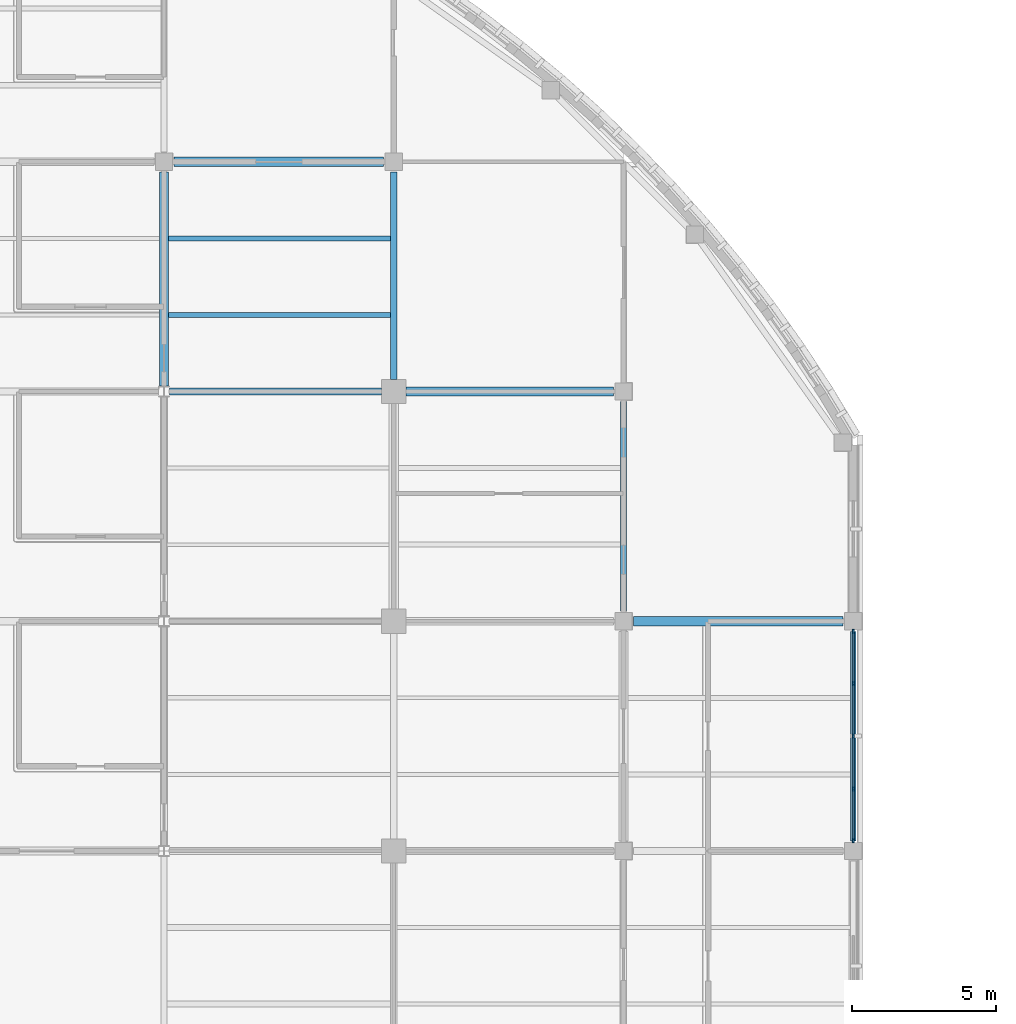
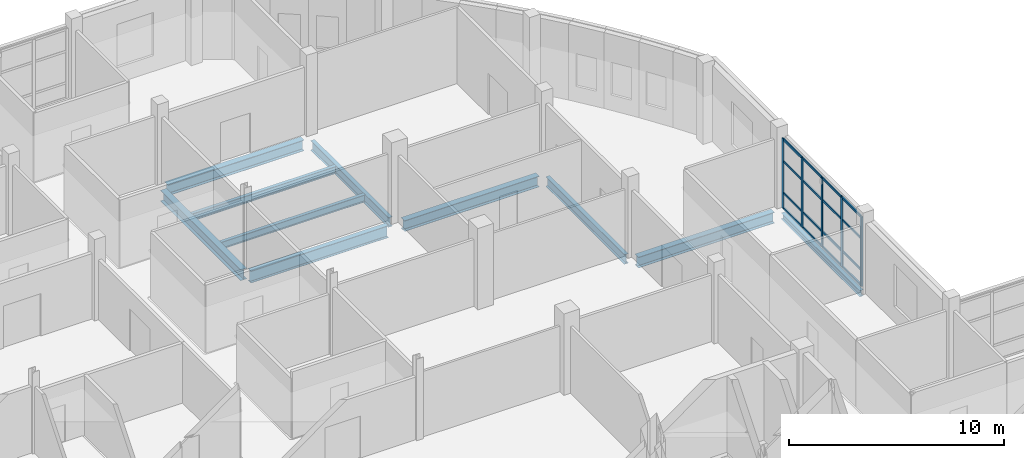
# One storey, part 39 of 121: 21 members, 10 beams, 1 element without a shape of its own.
"""IFC4 building model written with IfcOpenShell, lengths in metres."""

from ifc_helpers import new_model, si_unit, derived_unit, direction, frame, origin, origin_2d, place, context, subcontext, project, spatial, rectangle, i_section, extrude, material, layer, layer_set, material_profile, profile_set, type_object, element, aggregate, save


model = new_model("IFC4")

# Units and contexts
model_context = context("Model", 3, precision=1e-05, world=origin(), true_north=direction((0.0, 1.0)))
body_context = subcontext(model_context, "Body", "Model", "MODEL_VIEW")
ifc_project = project(units=[si_unit("LENGTHUNIT", "METRE"), si_unit("AREAUNIT", "SQUARE_METRE"), si_unit("VOLUMEUNIT", "CUBIC_METRE"), si_unit("PLANEANGLEUNIT", "RADIAN"), si_unit("MASSUNIT", "GRAM", prefix="KILO"), derived_unit("THERMALTRANSMITTANCEUNIT", [(si_unit("MASSUNIT", "GRAM", prefix="KILO"), 1), (si_unit("TIMEUNIT", "SECOND"), -3), (si_unit("THERMODYNAMICTEMPERATUREUNIT", "KELVIN"), -1)])], contexts=[model_context])

# Site, building, storey
site_placement = place(None, origin())
site = spatial("IfcSite", under=ifc_project, at=site_placement, CompositionType="ELEMENT")
building_placement = place(site_placement, origin())
building = spatial("IfcBuilding", under=site, at=building_placement, Name="Veyamyaing Civic Hall", CompositionType="ELEMENT")
storey_placement = place(building_placement, frame((0.0, 0.0, 5.280029296875)))
storey = spatial("IfcBuildingStorey", under=building, at=storey_placement, Name="L01", CompositionType="ELEMENT", Elevation=5.280029296875)

# Beams
ifc_material_1 = material(Name="Steel ASTM A992", Category="steel")
ifc_material_profile_1 = material_profile(ifc_material_1, i_section(OverallWidth=0.2041015625, OverallDepth=0.35009765625, WebThickness=0.0078125, FlangeThickness=0.01513671875, FilletRadius=0.010009765625, at=origin_2d()), Name="W360X72")
ifc_profile_set_1 = profile_set([ifc_material_profile_1], Name="Steel ASTM A992")
beam_type_1 = type_object("IfcBeamType", Name="B-11", PredefinedType="SPANDREL", material=ifc_profile_set_1)
beam_1_placement = place(storey_placement, frame((120.0, 64.35009765625, -0.419921875), z_axis=(0.0, 1.0, 0.0), x_axis=(-1.0, 0.0, 0.0)))
element("IfcBeam", 1, at=beam_1_placement, inside=storey, type_object=beam_type_1, Name="Girder B-11 L01 Grid 16 J-K", PredefinedType="SPANDREL", context=body_context, shape_type="SweptSolid", body=[
    extrude(i_section(OverallWidth=0.2041015625, OverallDepth=0.35009765625, WebThickness=0.0078125, FlangeThickness=0.01513671875, FilletRadius=0.010009765625, at=origin_2d()), origin(), (0.0, 0.0, 1.0), 7.2998046875),
])
ifc_material_profile_2 = material_profile(ifc_material_1, i_section(OverallWidth=0.25390625, OverallDepth=0.68408203125, WebThickness=0.012451171875, FlangeThickness=0.01904296875, FilletRadius=0.013916015625, at=origin_2d()), Name="W690X140")
ifc_profile_set_2 = profile_set([ifc_material_profile_2], Name="Steel ASTM A992")
beam_type_2 = type_object("IfcBeamType", Name="B-14", PredefinedType="BEAM", material=ifc_profile_set_2)
beam_2_placement = place(storey_placement, frame((96.198974609375, 80.0, -0.5869140625), z_axis=(1.0, 0.0, 0.0), x_axis=(0.0, 1.0, 0.0)))
element("IfcBeam", 2, at=beam_2_placement, inside=storey, type_object=beam_type_2, Name="Girder B-14 L01 Grid L 13-14", PredefinedType="BEAM", context=body_context, shape_type="SweptSolid", body=[
    extrude(i_section(OverallWidth=0.25390625, OverallDepth=0.68408203125, WebThickness=0.012451171875, FlangeThickness=0.01904296875, FilletRadius=0.013916015625, at=origin_2d()), origin(), (0.0, 0.0, 1.0), 7.3759765625),
])
ifc_material_profile_3 = material_profile(ifc_material_1, i_section(OverallWidth=0.324951171875, OverallDepth=0.615966796875, WebThickness=0.013916015625, FlangeThickness=0.021484375, FilletRadius=0.013916015625, at=origin_2d()), Name="W610X174")
ifc_profile_set_3 = profile_set([ifc_material_profile_3], Name="Steel ASTM A992")
beam_type_3 = type_object("IfcBeamType", Name="B-15", PredefinedType="BEAM", material=ifc_profile_set_3)
beam_3_placement = place(storey_placement, frame((112.35009765625, 72.0, -0.552978515625), z_axis=(1.0, 0.0, 0.0), x_axis=(0.0, 1.0, 0.0)))
element("IfcBeam", 3, at=beam_3_placement, inside=storey, type_object=beam_type_3, Name="Girder B-15 L01 Grid K 15-16", PredefinedType="BEAM", context=body_context, shape_type="SweptSolid", body=[
    extrude(i_section(OverallWidth=0.324951171875, OverallDepth=0.615966796875, WebThickness=0.013916015625, FlangeThickness=0.021484375, FilletRadius=0.013916015625, at=origin_2d()), origin(), (0.0, 0.0, 1.0), 7.2998046875),
])
beam_4_placement = place(storey_placement, frame((104.425048828125, 80.0, -0.552978515625), z_axis=(1.0, 0.0, 0.0), x_axis=(0.0, 1.0, 0.0)))
element("IfcBeam", 4, at=beam_4_placement, inside=storey, type_object=beam_type_3, Name="Girder B-15 L01 Grid L 14-15", PredefinedType="BEAM", context=body_context, shape_type="SweptSolid", body=[
    extrude(i_section(OverallWidth=0.324951171875, OverallDepth=0.615966796875, WebThickness=0.013916015625, FlangeThickness=0.021484375, FilletRadius=0.013916015625, at=origin_2d()), origin(), (0.0, 0.0, 1.0), 7.224853515625),
])
beam_5_placement = place(storey_placement, frame((96.35009765625, 88.0, -0.552978515625), z_axis=(1.0, 0.0, 0.0), x_axis=(0.0, 1.0, 0.0)))
element("IfcBeam", 5, at=beam_5_placement, inside=storey, type_object=beam_type_3, Name="Girder B-15 L01 Grid M 13-14", PredefinedType="BEAM", context=body_context, shape_type="SweptSolid", body=[
    extrude(i_section(OverallWidth=0.324951171875, OverallDepth=0.615966796875, WebThickness=0.013916015625, FlangeThickness=0.021484375, FilletRadius=0.013916015625, at=origin_2d()), origin(), (0.0, 0.0, 1.0), 7.2998046875),
])
beam_6_placement = place(storey_placement, frame((96.0, 80.193603515625, -0.552978515625), z_axis=(0.0, 1.0, 0.0), x_axis=(-1.0, 0.0, 0.0)))
element("IfcBeam", 6, at=beam_6_placement, inside=storey, type_object=beam_type_3, Name="Girder B-15 L01 Grid 13 L-M", PredefinedType="BEAM", context=body_context, shape_type="SweptSolid", body=[
    extrude(i_section(OverallWidth=0.324951171875, OverallDepth=0.615966796875, WebThickness=0.013916015625, FlangeThickness=0.021484375, FilletRadius=0.013916015625, at=origin_2d()), origin(), (0.0, 0.0, 1.0), 7.456298828125),
])
ifc_material_profile_4 = material_profile(ifc_material_1, i_section(OverallWidth=0.214111328125, OverallDepth=0.549072265625, WebThickness=0.0146484375, FlangeThickness=0.023681640625, FilletRadius=0.011962890625, at=origin_2d()), Name="W530X138")
ifc_profile_set_4 = profile_set([ifc_material_profile_4], Name="Steel ASTM A992")
beam_type_4 = type_object("IfcBeamType", Name="B-16", PredefinedType="BEAM", material=ifc_profile_set_4)
beam_7_placement = place(storey_placement, frame((104.0, 80.425048828125, -0.51953125), z_axis=(0.0, 1.0, 0.0), x_axis=(-1.0, 0.0, 0.0)))
element("IfcBeam", 7, at=beam_7_placement, inside=storey, type_object=beam_type_4, Name="Girder B-16 L01 Grid 14 L-M", PredefinedType="BEAM", context=body_context, shape_type="SweptSolid", body=[
    extrude(i_section(OverallWidth=0.214111328125, OverallDepth=0.549072265625, WebThickness=0.0146484375, FlangeThickness=0.023681640625, FilletRadius=0.011962890625, at=origin_2d()), origin(), (0.0, 0.0, 1.0), 7.224853515625),
])
beam_8_placement = place(storey_placement, frame((112.0, 72.35009765625, -0.51953125), z_axis=(0.0, 1.0, 0.0), x_axis=(-1.0, 0.0, 0.0)))
element("IfcBeam", 8, at=beam_8_placement, inside=storey, type_object=beam_type_4, Name="Girder B-16 L01 Grid 15 K-L", PredefinedType="BEAM", context=body_context, shape_type="SweptSolid", body=[
    extrude(i_section(OverallWidth=0.214111328125, OverallDepth=0.549072265625, WebThickness=0.0146484375, FlangeThickness=0.023681640625, FilletRadius=0.011962890625, at=origin_2d()), origin(), (0.0, 0.0, 1.0), 7.2998046875),
])

# Curtain wall, members
ifc_material_2 = material(Name="Anodised aluminium 6063-T6", Category="aluminium")
ifc_layer = layer(ifc_material_2, 0.159912109375, Name="Anodised aluminium 6063-T6")
ifc_layer_set = layer_set([ifc_layer], Name="Anodised aluminium 6063-T6")
curtain_wall_type = type_object("IfcCurtainWallType", Name="CW-02", PredefinedType="NOTDEFINED", material=ifc_layer_set)
curtain_wall_placement = place(storey_placement, origin())
curtain_wall = element("IfcCurtainWall", 9, at=curtain_wall_placement, inside=storey, type_object=curtain_wall_type, Name="Unitized curtain wall CW-02 L01 E 15.9", PredefinedType="NOTDEFINED")
ifc_material_profile_5 = material_profile(ifc_material_2, rectangle(XDim=0.06494140625, YDim=0.159912109375, at=origin_2d()), Name="ALU-MUL-65X160")
ifc_profile_set_5 = profile_set([ifc_material_profile_5], Name="Anodised aluminium 6063-T6")
member_type_1 = type_object("IfcMemberType", Name="CWM-01", PredefinedType="MULLION", material=ifc_profile_set_5)
member_1_placement = place(storey_placement, frame((120.0, 64.362548828125, 0.0), z_axis=(0.0, 0.0, 1.0), x_axis=(-1.0, 0.0, 0.0)))
member_1 = element("IfcMember", 10, at=member_1_placement, type_object=member_type_1, Name="CW-02 mullion 1", PredefinedType="MULLION", context=body_context, shape_type="SweptSolid", body=[
    extrude(rectangle(XDim=0.06494140625, YDim=0.159912109375, at=origin_2d()), origin(), (0.0, 0.0, 1.0), 3.955078125),
])
member_2_placement = place(storey_placement, frame((120.0, 66.1650390625, 0.0), z_axis=(0.0, 0.0, 1.0), x_axis=(-1.0, 0.0, 0.0)))
member_2 = element("IfcMember", 11, at=member_2_placement, type_object=member_type_1, Name="CW-02 mullion 2", PredefinedType="MULLION", context=body_context, shape_type="SweptSolid", body=[
    extrude(rectangle(XDim=0.06494140625, YDim=0.159912109375, at=origin_2d()), origin(), (0.0, 0.0, 1.0), 3.955078125),
])
member_3_placement = place(storey_placement, frame((120.0, 68.0, 0.0), z_axis=(0.0, 0.0, 1.0), x_axis=(-1.0, 0.0, 0.0)))
member_3 = element("IfcMember", 12, at=member_3_placement, type_object=member_type_1, Name="CW-02 mullion 3", PredefinedType="MULLION", context=body_context, shape_type="SweptSolid", body=[
    extrude(rectangle(XDim=0.06494140625, YDim=0.159912109375, at=origin_2d()), origin(), (0.0, 0.0, 1.0), 3.955078125),
])
member_4_placement = place(storey_placement, frame((120.0, 69.8349609375, 0.0), z_axis=(0.0, 0.0, 1.0), x_axis=(-1.0, 0.0, 0.0)))
member_4 = element("IfcMember", 13, at=member_4_placement, type_object=member_type_1, Name="CW-02 mullion 4", PredefinedType="MULLION", context=body_context, shape_type="SweptSolid", body=[
    extrude(rectangle(XDim=0.06494140625, YDim=0.159912109375, at=origin_2d()), origin(), (0.0, 0.0, 1.0), 3.955078125),
])
member_5_placement = place(storey_placement, frame((120.0, 71.637451171875, 0.0), z_axis=(0.0, 0.0, 1.0), x_axis=(-1.0, 0.0, 0.0)))
member_5 = element("IfcMember", 14, at=member_5_placement, type_object=member_type_1, Name="CW-02 mullion 5", PredefinedType="MULLION", context=body_context, shape_type="SweptSolid", body=[
    extrude(rectangle(XDim=0.06494140625, YDim=0.159912109375, at=origin_2d()), origin(), (0.0, 0.0, 1.0), 3.955078125),
])
ifc_material_profile_6 = material_profile(ifc_material_2, rectangle(XDim=0.06494140625, YDim=0.1201171875, at=origin_2d()), Name="ALU-TRN-65X120")
ifc_profile_set_6 = profile_set([ifc_material_profile_6], Name="Anodised aluminium 6063-T6")
member_type_2 = type_object("IfcMemberType", Name="CWT-01", PredefinedType="USERDEFINED", material=ifc_profile_set_6)
member_6_placement = place(storey_placement, frame((120.0, 64.39501953125, 0.032470703125), z_axis=(0.0, 1.0, 0.0), x_axis=(-1.0, 0.0, 0.0)))
member_6 = element("IfcMember", 15, at=member_6_placement, type_object=member_type_2, Name="CW-02 transom 1.1", ObjectType="TRANSOM", PredefinedType="USERDEFINED", context=body_context, shape_type="SweptSolid", body=[
    extrude(rectangle(XDim=0.06494140625, YDim=0.1201171875, at=origin_2d()), origin(), (0.0, 0.0, 1.0), 1.737548828125),
])
member_7_placement = place(storey_placement, frame((120.0, 64.39501953125, 0.89990234375), z_axis=(0.0, 1.0, 0.0), x_axis=(-1.0, 0.0, 0.0)))
member_7 = element("IfcMember", 16, at=member_7_placement, type_object=member_type_2, Name="CW-02 transom 1.2", ObjectType="TRANSOM", PredefinedType="USERDEFINED", context=body_context, shape_type="SweptSolid", body=[
    extrude(rectangle(XDim=0.06494140625, YDim=0.1201171875, at=origin_2d()), origin(), (0.0, 0.0, 1.0), 1.737548828125),
])
member_8_placement = place(storey_placement, frame((120.0, 64.39501953125, 2.689453125), z_axis=(0.0, 1.0, 0.0), x_axis=(-1.0, 0.0, 0.0)))
member_8 = element("IfcMember", 17, at=member_8_placement, type_object=member_type_2, Name="CW-02 transom 1.3", ObjectType="TRANSOM", PredefinedType="USERDEFINED", context=body_context, shape_type="SweptSolid", body=[
    extrude(rectangle(XDim=0.06494140625, YDim=0.1201171875, at=origin_2d()), origin(), (0.0, 0.0, 1.0), 1.737548828125),
])
member_9_placement = place(storey_placement, frame((120.0, 64.39501953125, 3.92236328125), z_axis=(0.0, 1.0, 0.0), x_axis=(-1.0, 0.0, 0.0)))
member_9 = element("IfcMember", 18, at=member_9_placement, type_object=member_type_2, Name="CW-02 transom 1.4", ObjectType="TRANSOM", PredefinedType="USERDEFINED", context=body_context, shape_type="SweptSolid", body=[
    extrude(rectangle(XDim=0.06494140625, YDim=0.1201171875, at=origin_2d()), origin(), (0.0, 0.0, 1.0), 1.737548828125),
])
member_10_placement = place(storey_placement, frame((120.0, 66.197509765625, 0.032470703125), z_axis=(0.0, 1.0, 0.0), x_axis=(-1.0, 0.0, 0.0)))
member_10 = element("IfcMember", 19, at=member_10_placement, type_object=member_type_2, Name="CW-02 transom 2.1", ObjectType="TRANSOM", PredefinedType="USERDEFINED", context=body_context, shape_type="SweptSolid", body=[
    extrude(rectangle(XDim=0.06494140625, YDim=0.1201171875, at=origin_2d()), origin(), (0.0, 0.0, 1.0), 1.77001953125),
])
member_11_placement = place(storey_placement, frame((120.0, 66.197509765625, 0.89990234375), z_axis=(0.0, 1.0, 0.0), x_axis=(-1.0, 0.0, 0.0)))
member_11 = element("IfcMember", 20, at=member_11_placement, type_object=member_type_2, Name="CW-02 transom 2.2", ObjectType="TRANSOM", PredefinedType="USERDEFINED", context=body_context, shape_type="SweptSolid", body=[
    extrude(rectangle(XDim=0.06494140625, YDim=0.1201171875, at=origin_2d()), origin(), (0.0, 0.0, 1.0), 1.77001953125),
])
member_12_placement = place(storey_placement, frame((120.0, 66.197509765625, 2.689453125), z_axis=(0.0, 1.0, 0.0), x_axis=(-1.0, 0.0, 0.0)))
member_12 = element("IfcMember", 21, at=member_12_placement, type_object=member_type_2, Name="CW-02 transom 2.3", ObjectType="TRANSOM", PredefinedType="USERDEFINED", context=body_context, shape_type="SweptSolid", body=[
    extrude(rectangle(XDim=0.06494140625, YDim=0.1201171875, at=origin_2d()), origin(), (0.0, 0.0, 1.0), 1.77001953125),
])
member_13_placement = place(storey_placement, frame((120.0, 66.197509765625, 3.92236328125), z_axis=(0.0, 1.0, 0.0), x_axis=(-1.0, 0.0, 0.0)))
member_13 = element("IfcMember", 22, at=member_13_placement, type_object=member_type_2, Name="CW-02 transom 2.4", ObjectType="TRANSOM", PredefinedType="USERDEFINED", context=body_context, shape_type="SweptSolid", body=[
    extrude(rectangle(XDim=0.06494140625, YDim=0.1201171875, at=origin_2d()), origin(), (0.0, 0.0, 1.0), 1.77001953125),
])
member_14_placement = place(storey_placement, frame((120.0, 68.032470703125, 0.032470703125), z_axis=(0.0, 1.0, 0.0), x_axis=(-1.0, 0.0, 0.0)))
member_14 = element("IfcMember", 23, at=member_14_placement, type_object=member_type_2, Name="CW-02 transom 3.1", ObjectType="TRANSOM", PredefinedType="USERDEFINED", context=body_context, shape_type="SweptSolid", body=[
    extrude(rectangle(XDim=0.06494140625, YDim=0.1201171875, at=origin_2d()), origin(), (0.0, 0.0, 1.0), 1.77001953125),
])
member_15_placement = place(storey_placement, frame((120.0, 68.032470703125, 0.89990234375), z_axis=(0.0, 1.0, 0.0), x_axis=(-1.0, 0.0, 0.0)))
member_15 = element("IfcMember", 24, at=member_15_placement, type_object=member_type_2, Name="CW-02 transom 3.2", ObjectType="TRANSOM", PredefinedType="USERDEFINED", context=body_context, shape_type="SweptSolid", body=[
    extrude(rectangle(XDim=0.06494140625, YDim=0.1201171875, at=origin_2d()), origin(), (0.0, 0.0, 1.0), 1.77001953125),
])
member_16_placement = place(storey_placement, frame((120.0, 68.032470703125, 2.689453125), z_axis=(0.0, 1.0, 0.0), x_axis=(-1.0, 0.0, 0.0)))
member_16 = element("IfcMember", 25, at=member_16_placement, type_object=member_type_2, Name="CW-02 transom 3.3", ObjectType="TRANSOM", PredefinedType="USERDEFINED", context=body_context, shape_type="SweptSolid", body=[
    extrude(rectangle(XDim=0.06494140625, YDim=0.1201171875, at=origin_2d()), origin(), (0.0, 0.0, 1.0), 1.77001953125),
])
member_17_placement = place(storey_placement, frame((120.0, 68.032470703125, 3.92236328125), z_axis=(0.0, 1.0, 0.0), x_axis=(-1.0, 0.0, 0.0)))
member_17 = element("IfcMember", 26, at=member_17_placement, type_object=member_type_2, Name="CW-02 transom 3.4", ObjectType="TRANSOM", PredefinedType="USERDEFINED", context=body_context, shape_type="SweptSolid", body=[
    extrude(rectangle(XDim=0.06494140625, YDim=0.1201171875, at=origin_2d()), origin(), (0.0, 0.0, 1.0), 1.77001953125),
])
member_18_placement = place(storey_placement, frame((120.0, 69.867431640625, 0.032470703125), z_axis=(0.0, 1.0, 0.0), x_axis=(-1.0, 0.0, 0.0)))
member_18 = element("IfcMember", 27, at=member_18_placement, type_object=member_type_2, Name="CW-02 transom 4.1", ObjectType="TRANSOM", PredefinedType="USERDEFINED", context=body_context, shape_type="SweptSolid", body=[
    extrude(rectangle(XDim=0.06494140625, YDim=0.1201171875, at=origin_2d()), origin(), (0.0, 0.0, 1.0), 1.737548828125),
])
member_19_placement = place(storey_placement, frame((120.0, 69.867431640625, 0.89990234375), z_axis=(0.0, 1.0, 0.0), x_axis=(-1.0, 0.0, 0.0)))
member_19 = element("IfcMember", 28, at=member_19_placement, type_object=member_type_2, Name="CW-02 transom 4.2", ObjectType="TRANSOM", PredefinedType="USERDEFINED", context=body_context, shape_type="SweptSolid", body=[
    extrude(rectangle(XDim=0.06494140625, YDim=0.1201171875, at=origin_2d()), origin(), (0.0, 0.0, 1.0), 1.737548828125),
])
member_20_placement = place(storey_placement, frame((120.0, 69.867431640625, 2.689453125), z_axis=(0.0, 1.0, 0.0), x_axis=(-1.0, 0.0, 0.0)))
member_20 = element("IfcMember", 29, at=member_20_placement, type_object=member_type_2, Name="CW-02 transom 4.3", ObjectType="TRANSOM", PredefinedType="USERDEFINED", context=body_context, shape_type="SweptSolid", body=[
    extrude(rectangle(XDim=0.06494140625, YDim=0.1201171875, at=origin_2d()), origin(), (0.0, 0.0, 1.0), 1.737548828125),
])
member_21_placement = place(storey_placement, frame((120.0, 69.867431640625, 3.92236328125), z_axis=(0.0, 1.0, 0.0), x_axis=(-1.0, 0.0, 0.0)))
member_21 = element("IfcMember", 30, at=member_21_placement, type_object=member_type_2, Name="CW-02 transom 4.4", ObjectType="TRANSOM", PredefinedType="USERDEFINED", context=body_context, shape_type="SweptSolid", body=[
    extrude(rectangle(XDim=0.06494140625, YDim=0.1201171875, at=origin_2d()), origin(), (0.0, 0.0, 1.0), 1.737548828125),
])
aggregate(curtain_wall, [member_1, member_2, member_3, member_4, member_5, member_6, member_7, member_8, member_9, member_10, member_11, member_12, member_13, member_14, member_15, member_16, member_17, member_18, member_19, member_20, member_21])

# Beams
ifc_material_profile_7 = material_profile(ifc_material_1, i_section(OverallWidth=0.177978515625, OverallDepth=0.406982421875, WebThickness=0.0078125, FlangeThickness=0.0126953125, FilletRadius=0.010009765625, at=origin_2d()), Name="W410X60")
ifc_profile_set_7 = profile_set([ifc_material_profile_7], Name="Steel ASTM A992")
beam_type_5 = type_object("IfcBeamType", Name="J-01", PredefinedType="JOIST", material=ifc_profile_set_7)
for number, where, z_axis, x_axis, name in (
    (31, (96.160400390625, 82.666748046875, -0.448486328125), (1.0, 0.0, 0.0), (0.0, 1.0, 0.0), "Composite floor joist J-01 L01 13.11.1"),
    (32, (96.160400390625, 85.333251953125, -0.448486328125), (1.0, 0.0, 0.0), (0.0, 1.0, 0.0), "Composite floor joist J-01 L01 13.11.2"),
):
    element("IfcBeam", number, at=place(storey_placement, frame(where, z_axis=z_axis, x_axis=x_axis)), inside=storey, type_object=beam_type_5, Name=name, PredefinedType="JOIST", context=body_context, shape_type="SweptSolid", body=[
        extrude(i_section(OverallWidth=0.177978515625, OverallDepth=0.406982421875, WebThickness=0.0078125, FlangeThickness=0.0126953125, FilletRadius=0.010009765625, at=origin_2d()), origin(), (0.0, 0.0, 1.0), 7.734619140625),
    ])

save(model, "model.ifc")
